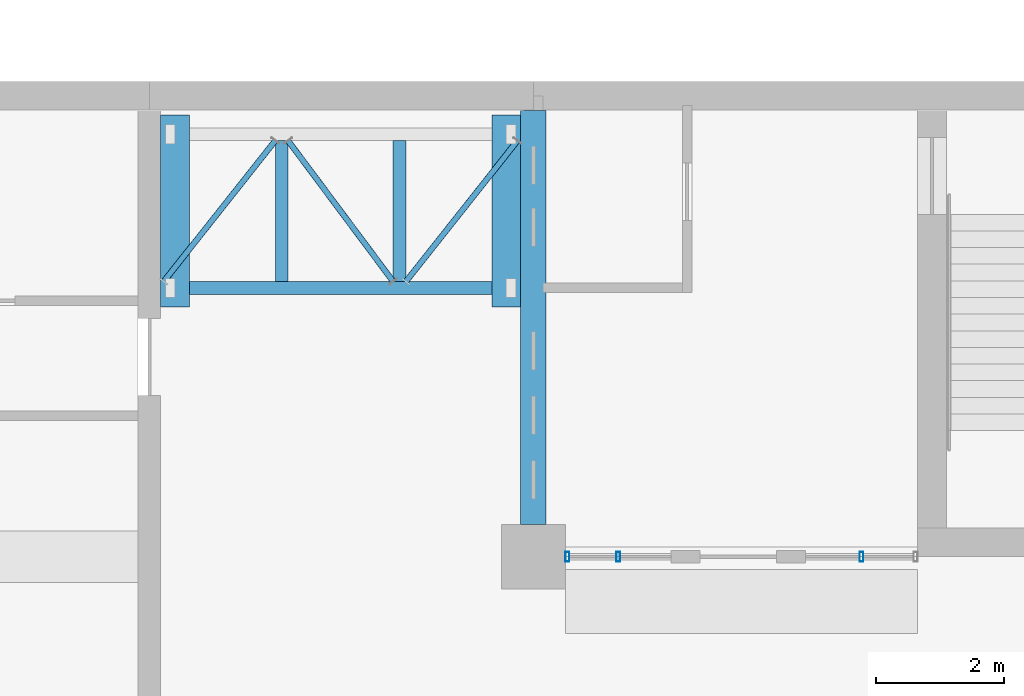
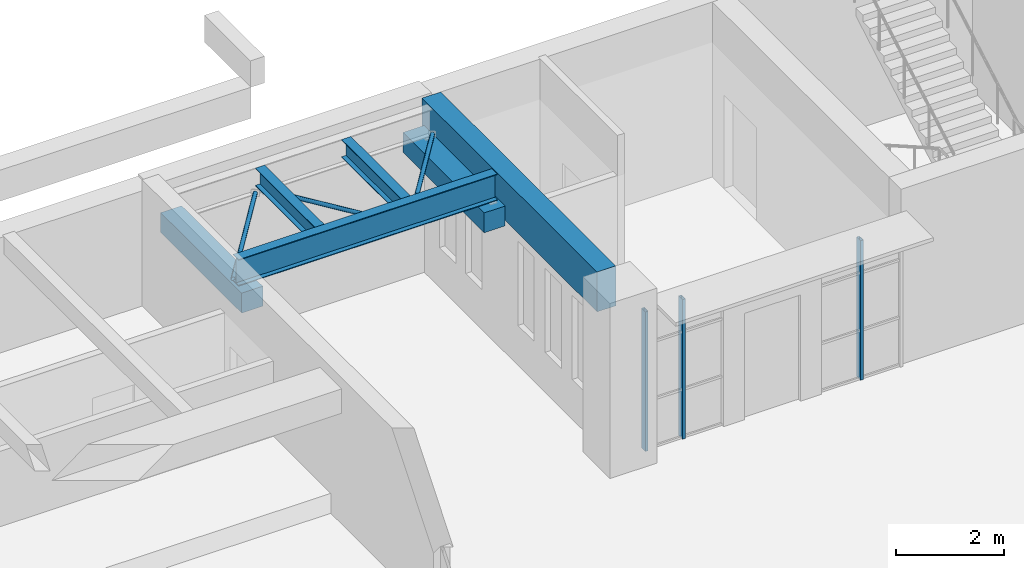
# One storey, part 25 of 103: 6 beams, 6 members, 2 elements without a shape of their own.
"""IFC4 building model written with IfcOpenShell, lengths in metres."""

from ifc_helpers import new_model, si_unit, direction, frame, origin, origin_2d, place, context, subcontext, project, spatial, rectangle, hollow_rectangle, hollow_circle, i_section, extrude, material, material_profile, profile_set, type_object, element, aggregate, save


model = new_model("IFC4")

# Units and contexts
model_context = context("Model", 3, precision=1e-05, world=origin(), true_north=direction((0.0, 1.0)))
body_context = subcontext(model_context, "Body", "Model", "MODEL_VIEW")
ifc_project = project(units=[si_unit("LENGTHUNIT", "METRE"), si_unit("AREAUNIT", "SQUARE_METRE"), si_unit("VOLUMEUNIT", "CUBIC_METRE"), si_unit("PLANEANGLEUNIT", "RADIAN"), si_unit("MASSUNIT", "GRAM", prefix="KILO")], contexts=[model_context])

# Site, building, storey
site_placement = place(None, origin())
site = spatial("IfcSite", under=ifc_project, at=site_placement, CompositionType="ELEMENT")
building_placement = place(site_placement, origin())
building = spatial("IfcBuilding", under=site, at=building_placement, Name="Laocheng Heights Fire and Rescue Headquarters", CompositionType="ELEMENT")
storey_placement = place(building_placement, frame((0.0, 0.0, 4.199951171875)))
storey = spatial("IfcBuildingStorey", under=building, at=storey_placement, Name="L01", CompositionType="ELEMENT", Elevation=4.199951171875)

# Curtain wall, members
ifc_material_1 = material(Name="Dark anodised aluminium unitised curtain wall, low-e double glazing", Category="aluminium")
curtain_wall_type_1 = type_object("IfcCurtainWallType", Name="CW 1650 x 3150 HQ SOUTH RIBBON", PredefinedType="NOTDEFINED", material=ifc_material_1)
curtain_wall_1_placement = place(storey_placement, origin())
curtain_wall_1 = element("IfcCurtainWall", 1, at=curtain_wall_1_placement, inside=storey, type_object=curtain_wall_type_1, Name="X1-X HQ SOUTH L01", PredefinedType="NOTDEFINED")
ifc_material_2 = material(Name="Dark anodised aluminium 6063-T5 extrusion", Category="aluminium")
ifc_material_profile_1 = material_profile(ifc_material_2, hollow_rectangle(XDim=0.14990234375, YDim=0.06005859375, WallThickness=0.0029296875, at=origin_2d()), Name="AL MULLION 150x60x3 HQ SOUTH RIBBON")
ifc_profile_set_1 = profile_set([ifc_material_profile_1], Name="Dark anodised aluminium 6063-T5 extrusion")
member_type_1 = type_object("IfcMemberType", Name="AL MULLION 150x60x3 HQ SOUTH RIBBON", PredefinedType="MULLION", material=ifc_profile_set_1)
member_1_placement = place(storey_placement, frame((36.530029296875, 50.39990234375, 0.0), z_axis=(0.0, 0.0, 1.0), x_axis=(0.0, 1.0, 0.0)))
member_1 = element("IfcMember", 2, at=member_1_placement, type_object=member_type_1, Name="X1-X mullion 1", PredefinedType="MULLION", context=body_context, shape_type="SweptSolid", body=[
    extrude(hollow_rectangle(XDim=0.14990234375, YDim=0.06005859375, WallThickness=0.0029296875, at=origin_2d()), origin(), (0.0, 0.0, 1.0), 3.150146484375),
])
member_2_placement = place(storey_placement, frame((37.324951171875, 50.39990234375, 0.0), z_axis=(0.0, 0.0, 1.0), x_axis=(0.0, 1.0, 0.0)))
member_2 = element("IfcMember", 3, at=member_2_placement, type_object=member_type_1, Name="X1-X mullion 2", PredefinedType="MULLION", context=body_context, shape_type="SweptSolid", body=[
    extrude(hollow_rectangle(XDim=0.14990234375, YDim=0.06005859375, WallThickness=0.0029296875, at=origin_2d()), origin(), (0.0, 0.0, 1.0), 3.150146484375),
])
aggregate(curtain_wall_1, [member_1, member_2])

# Curtain wall, member
ifc_material_3 = material(Name="Dark anodised aluminium unitised curtain wall, low-e double glazing", Category="aluminium")
curtain_wall_type_2 = type_object("IfcCurtainWallType", Name="CW 1750 x 3150 HQ SOUTH RIBBON", PredefinedType="NOTDEFINED", material=ifc_material_3)
curtain_wall_2_placement = place(storey_placement, origin())
curtain_wall_2 = element("IfcCurtainWall", 4, at=curtain_wall_2_placement, inside=storey, type_object=curtain_wall_type_2, Name="X2-X HQ SOUTH L01", PredefinedType="NOTDEFINED")
member_3_placement = place(storey_placement, frame((41.125, 50.39990234375, 0.0), z_axis=(0.0, 0.0, 1.0), x_axis=(0.0, 1.0, 0.0)))
member_3 = element("IfcMember", 5, at=member_3_placement, type_object=member_type_1, Name="X2-X mullion 2", PredefinedType="MULLION", context=body_context, shape_type="SweptSolid", body=[
    extrude(hollow_rectangle(XDim=0.14990234375, YDim=0.06005859375, WallThickness=0.0029296875, at=origin_2d()), origin(), (0.0, 0.0, 1.0), 3.150146484375),
])
aggregate(curtain_wall_2, [member_3])

# Beams
ifc_material_4 = material(Name="Concrete C40", Category="concrete")
ifc_material_profile_2 = material_profile(ifc_material_4, rectangle(XDim=0.39990234375, YDim=0.89990234375, at=origin_2d()), Name="RC BEAM 400x900 HQ")
ifc_profile_set_2 = profile_set([ifc_material_profile_2], Name="Concrete C40")
beam_type_1 = type_object("IfcBeamType", Name="RC BEAM 400x900 HQ", PredefinedType="BEAM", material=ifc_profile_set_2)
beam_1_placement = place(storey_placement, frame((36.0, 50.89990234375, 3.5), z_axis=(0.0, 1.0, 0.0), x_axis=(-1.0, 0.0, 0.0)))
element("IfcBeam", 6, at=beam_1_placement, inside=storey, type_object=beam_type_1, Name="HQ beam L01", PredefinedType="BEAM", context=body_context, shape_type="SweptSolid", body=[
    extrude(rectangle(XDim=0.39990234375, YDim=0.89990234375, at=origin_2d()), origin(), (0.0, 0.0, 1.0), 6.47509765625),
])
ifc_material_5 = material(Name="Concrete C40", Category="concrete")
ifc_material_profile_3 = material_profile(ifc_material_5, rectangle(XDim=0.449951171875, YDim=0.449951171875, at=origin_2d()), Name="RC CORBEL 450x450 BRIDGE SEAT")
ifc_profile_set_3 = profile_set([ifc_material_profile_3], Name="Concrete C40")
beam_type_2 = type_object("IfcBeamType", Name="RC CORBEL 450x450 BRIDGE SEAT", PredefinedType="BEAM", material=ifc_profile_set_3)
for number, where, z_axis, x_axis, name in (
    (7, (30.39990234375, 54.300048828125, 3.1552734375), (0.0, 1.0, 0.0), (-1.0, 0.0, 0.0), "Bridge B2 corbel"),
    (8, (35.574951171875, 54.300048828125, 3.1552734375), (0.0, 1.0, 0.0), (-1.0, 0.0, 0.0), "Bridge B2 corbel"),
):
    element("IfcBeam", number, at=place(storey_placement, frame(where, z_axis=z_axis, x_axis=x_axis)), inside=storey, type_object=beam_type_2, Name=name, PredefinedType="BEAM", context=body_context, shape_type="SweptSolid", body=[
        extrude(rectangle(XDim=0.449951171875, YDim=0.449951171875, at=origin_2d()), origin(), (0.0, 0.0, 1.0), 3.0),
    ])
ifc_material_6 = material(Name="Steel Q355B", Category="steel")
ifc_material_profile_4 = material_profile(ifc_material_6, i_section(OverallWidth=0.199951171875, OverallDepth=0.60009765625, WebThickness=0.010986328125, FlangeThickness=0.01708984375, at=origin_2d()), Name="HN 600x200x11x17")
ifc_profile_set_4 = profile_set([ifc_material_profile_4], Name="Steel Q355B")
beam_type_3 = type_object("IfcBeamType", Name="STEEL BRIDGE GIRDER HN 600x200x11x17", PredefinedType="BEAM", material=ifc_profile_set_4)
beam_2_placement = place(storey_placement, frame((30.22509765625, 54.60009765625, 3.699951171875), z_axis=(1.0, 0.0, 0.0), x_axis=(0.0, 1.0, 0.0)))
element("IfcBeam", 9, at=beam_2_placement, inside=storey, type_object=beam_type_3, Name="Bridge B2 girder", PredefinedType="BEAM", context=body_context, shape_type="SweptSolid", body=[
    extrude(i_section(OverallWidth=0.199951171875, OverallDepth=0.60009765625, WebThickness=0.010986328125, FlangeThickness=0.01708984375, at=origin_2d()), origin(), (0.0, 0.0, 1.0), 5.52490234375),
])

# Members
ifc_material_7 = material(Name="Steel Q355B", Category="steel")
ifc_material_profile_5 = material_profile(ifc_material_7, hollow_circle(Radius=0.04443359375, WallThickness=0.0048828125, at=origin_2d()), Name="CHS 88.9x5")
ifc_profile_set_5 = profile_set([ifc_material_profile_5], Name="Steel Q355B")
member_type_2 = type_object("IfcMemberType", Name="STEEL BRIDGE PLAN BRACE CHS 88.9x5", PredefinedType="BRACE", material=ifc_profile_set_5)
member_4_placement = place(storey_placement, frame((30.22509765625, 54.699951171875, 3.4443359375), z_axis=(0.620718544484, 0.784033474116, 0.0), x_axis=(-0.784033474116, 0.620718544484, 0.0)))
element("IfcMember", 10, at=member_4_placement, inside=storey, type_object=member_type_2, Name="Bridge B2 plan bracing", PredefinedType="BRACE", context=body_context, shape_type="SweptSolid", body=[
    extrude(hollow_circle(Radius=0.04443359375, WallThickness=0.0048828125, at=origin_2d()), origin(), (0.0, 0.0, 1.0), 2.805908203125),
])
member_5_placement = place(storey_placement, frame((32.166748046875, 56.89990234375, 3.4443359375), z_axis=(0.598048601182, -0.801459837187, 0.0), x_axis=(0.801459837187, 0.598048601182, 0.0)))
element("IfcMember", 11, at=member_5_placement, inside=storey, type_object=member_type_2, Name="Bridge B2 plan bracing", PredefinedType="BRACE", context=body_context, shape_type="SweptSolid", body=[
    extrude(hollow_circle(Radius=0.04443359375, WallThickness=0.0048828125, at=origin_2d()), origin(), (0.0, 0.0, 1.0), 2.744873046875),
])
member_6_placement = place(storey_placement, frame((34.00830078125, 54.699951171875, 3.4443359375), z_axis=(0.620718544484, 0.784033474116, 0.0), x_axis=(-0.784033474116, 0.620718544484, 0.0)))
element("IfcMember", 12, at=member_6_placement, inside=storey, type_object=member_type_2, Name="Bridge B2 plan bracing", PredefinedType="BRACE", context=body_context, shape_type="SweptSolid", body=[
    extrude(hollow_circle(Radius=0.04443359375, WallThickness=0.0048828125, at=origin_2d()), origin(), (0.0, 0.0, 1.0), 2.805908203125),
])

# Beams
ifc_material_8 = material(Name="Steel Q355B", Category="steel")
ifc_material_profile_6 = material_profile(ifc_material_8, i_section(OverallWidth=0.199951171875, OverallDepth=0.39990234375, WebThickness=0.008056640625, FlangeThickness=0.012939453125, at=origin_2d()), Name="HN 400x200x8x13")
ifc_profile_set_6 = profile_set([ifc_material_profile_6], Name="Steel Q355B")
beam_type_4 = type_object("IfcBeamType", Name="STEEL BRIDGE TYING BEAM HN 400x200x8x13", PredefinedType="BEAM", material=ifc_profile_set_6)
for number, where, z_axis, x_axis, name in (
    (13, (32.066650390625, 54.699951171875, 3.800048828125), (0.0, 1.0, 0.0), (-1.0, 0.0, 0.0), "Bridge B2 cross beam"),
    (14, (33.908203125, 54.699951171875, 3.800048828125), (0.0, 1.0, 0.0), (-1.0, 0.0, 0.0), "Bridge B2 cross beam"),
):
    element("IfcBeam", number, at=place(storey_placement, frame(where, z_axis=z_axis, x_axis=x_axis)), inside=storey, type_object=beam_type_4, Name=name, PredefinedType="BEAM", context=body_context, shape_type="SweptSolid", body=[
        extrude(i_section(OverallWidth=0.199951171875, OverallDepth=0.39990234375, WebThickness=0.008056640625, FlangeThickness=0.012939453125, at=origin_2d()), origin(), (0.0, 0.0, 1.0), 2.199951171875),
    ])

save(model, "model.ifc")
